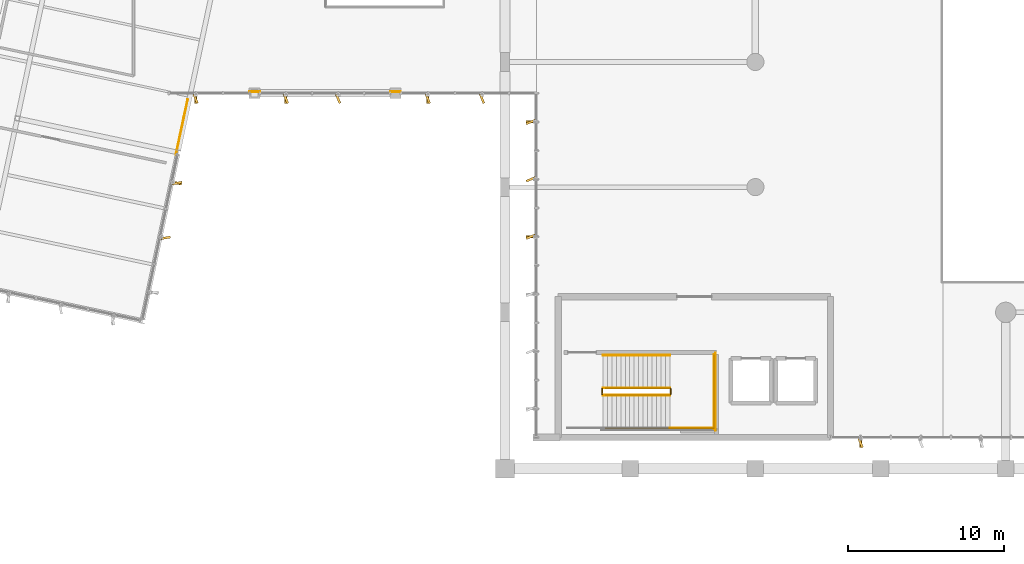
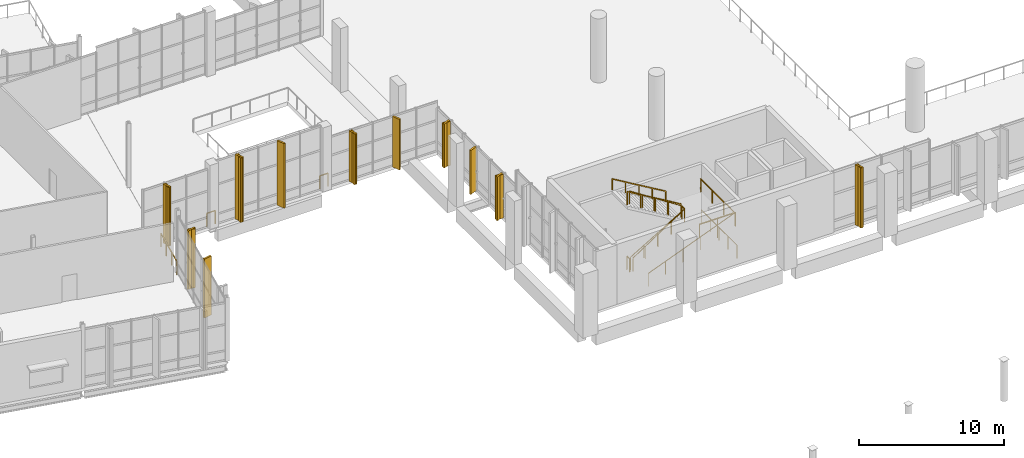
# One storey, part 160 of 176: 13 railings, 11 shading devices, 7 coverings.
"""IFC4 building model written with IfcOpenShell, lengths in metres."""

from ifc_helpers import new_model, si_unit, direction, frame, origin, origin_2d, place, context, subcontext, project, spatial, rectangle, extrude, material, layer, layer_set, type_object, element, save


model = new_model("IFC4")

# Units and contexts
model_context = context("Model", 3, precision=1e-05, world=origin(), true_north=direction((0.0, 1.0)))
body_context = subcontext(model_context, "Body", "Model", "MODEL_VIEW")
ifc_project = project(units=[si_unit("LENGTHUNIT", "METRE"), si_unit("AREAUNIT", "SQUARE_METRE"), si_unit("VOLUMEUNIT", "CUBIC_METRE"), si_unit("PLANEANGLEUNIT", "RADIAN"), si_unit("MASSUNIT", "GRAM", prefix="KILO")], contexts=[model_context])

# Site, building, storey
site_placement = place(None, origin())
site = spatial("IfcSite", under=ifc_project, at=site_placement, CompositionType="ELEMENT")
building_placement = place(site_placement, origin())
building = spatial("IfcBuilding", under=site, at=building_placement, Name="Khorjan Park Terminus", CompositionType="ELEMENT")
storey_placement = place(building_placement, frame((0.0, 0.0, 6.0)))
storey = spatial("IfcBuildingStorey", under=building, at=storey_placement, Name="L01", CompositionType="ELEMENT", Elevation=6.0)

# Coverings
ifc_material_1 = material(Name="Pigmented Precast GRC", Category="concrete")
ifc_layer = layer(ifc_material_1, 0.16)
ifc_layer_set = layer_set([ifc_layer], Name="Pigmented Precast GRC")
covering_type = type_object("IfcCoveringType", Name="CV-FIN-GRC", PredefinedType="CLADDING", material=ifc_layer_set)
covering_1_placement = place(storey_placement, frame((70.725, 27.645, -0.02), z_axis=(0.0, 0.0, 1.0), x_axis=(0.0, 1.0, 0.0)))
element("IfcCovering", 1, at=covering_1_placement, inside=storey, type_object=covering_type, Name="Projecting desert-sandstone GRC facade fin CL-FN1 (CW-V2-S-L01-02-1)", PredefinedType="CLADDING", context=body_context, shape_type="SweptSolid", body=[
    extrude(rectangle(XDim=0.58, YDim=0.16, at=origin_2d()), origin(), (0.0, 0.0, 1.0), 5.065),
])
for number, where, z_axis, x_axis, name in (
    (2, (49.645, 48.1667, -0.02), (0.0, 0.0, 1.0), (1.0, 0.0, 0.0), "Projecting desert-sandstone GRC facade fin CL-FN1 (CW-V2-W-L01-02-1)"),
    (3, (49.645, 40.8333, -0.02), (0.0, 0.0, 1.0), (1.0, 0.0, 0.0), "Projecting desert-sandstone GRC facade fin CL-FN1 (CW-V2-W-L01-02-5)"),
):
    element("IfcCovering", number, at=place(storey_placement, frame(where, z_axis=z_axis, x_axis=x_axis)), inside=storey, type_object=covering_type, Name=name, PredefinedType="CLADDING", context=body_context, shape_type="SweptSolid", body=[
        extrude(rectangle(XDim=0.58, YDim=0.16, at=origin_2d()), origin(), (0.0, 0.0, 1.0), 3.705),
    ])
covering_2_placement = place(storey_placement, frame((28.2233, 49.645, -0.02), z_axis=(0.0, 0.0, 1.0), x_axis=(0.0, 1.0, 0.0)))
element("IfcCovering", 4, at=covering_2_placement, inside=storey, type_object=covering_type, Name="Projecting desert-sandstone GRC facade fin CL-FN1 (CW-V4L-S-L01-1-1)", PredefinedType="CLADDING", context=body_context, shape_type="SweptSolid", body=[
    extrude(rectangle(XDim=0.58, YDim=0.16, at=origin_2d()), origin(), (0.0, 0.0, 1.0), 4.97),
])
covering_3_placement = place(storey_placement, frame((33.998, 49.645, -0.02), z_axis=(0.0, 0.0, 1.0), x_axis=(0.0, 1.0, 0.0)))
element("IfcCovering", 5, at=covering_3_placement, inside=storey, type_object=covering_type, Name="Projecting desert-sandstone GRC facade fin CL-FN1 (CW-V4L-S-L01-2-1)", PredefinedType="CLADDING", context=body_context, shape_type="SweptSolid", body=[
    extrude(rectangle(XDim=0.58, YDim=0.16, at=origin_2d()), origin(), (0.0, 0.0, 1.0), 5.44),
])
covering_4_placement = place(storey_placement, frame((43.064, 49.645, -0.02), z_axis=(0.0, 0.0, 1.0), x_axis=(0.0, 1.0, 0.0)))
element("IfcCovering", 6, at=covering_4_placement, inside=storey, type_object=covering_type, Name="Projecting desert-sandstone GRC facade fin CL-FN1 (CW-V4L-S-L01-3-1)", PredefinedType="CLADDING", context=body_context, shape_type="SweptSolid", body=[
    extrude(rectangle(XDim=0.58, YDim=0.16, at=origin_2d()), origin(), (0.0, 0.0, 1.0), 4.265),
])
covering_5_placement = place(storey_placement, frame((27.0466, 44.2583, -0.02), z_axis=(0.0, 0.0, 1.0), x_axis=(-0.978147600734, 0.207911690818, 0.0)))
element("IfcCovering", 7, at=covering_5_placement, inside=storey, type_object=covering_type, Name="Projecting desert-sandstone GRC facade fin CL-FN1 (CW-V4-E-L01-B01-5)", PredefinedType="CLADDING", context=body_context, shape_type="SweptSolid", body=[
    extrude(rectangle(XDim=0.58, YDim=0.16, at=origin_2d()), origin(), (0.0, 0.0, 1.0), 4.97),
])

# Railings
ifc_material_2 = material(Name="Steel S355", Category="steel")
railing_type_1 = type_object("IfcRailingType", Name="GR-112", PredefinedType="GUARDRAIL", material=ifc_material_2)
railing_1_placement = place(storey_placement, frame((54.26, 30.7, 0.1688)))
element("IfcRailing", 8, at=railing_1_placement, inside=storey, type_object=railing_type_1, Name="L01 ST-01 stair guard 1", PredefinedType="GUARDRAIL", context=body_context, shape_type="SweptSolid", body=[
    extrude(rectangle(XDim=0.048, YDim=0.048, at=origin_2d()), frame((0.0, 0.0, 1.096), z_axis=(0.860479801158, 0.0, 0.509484555015), x_axis=(0.0, 1.0, 0.0)), (0.0, 0.0, 1.0), 4.9682),
    extrude(rectangle(XDim=0.042, YDim=0.042, at=origin_2d()), origin(), (0.0, 0.0, 1.0), 1.072),
    extrude(rectangle(XDim=0.042, YDim=0.042, at=origin_2d()), frame((1.0687, 0.0, 0.6328)), (0.0, 0.0, 1.0), 1.072),
    extrude(rectangle(XDim=0.042, YDim=0.042, at=origin_2d()), frame((2.1375, 0.0, 1.2656)), (0.0, 0.0, 1.0), 1.072),
    extrude(rectangle(XDim=0.042, YDim=0.042, at=origin_2d()), frame((3.2062, 0.0, 1.8984)), (0.0, 0.0, 1.0), 1.072),
    extrude(rectangle(XDim=0.042, YDim=0.042, at=origin_2d()), frame((4.275, 0.0, 2.5312)), (0.0, 0.0, 1.0), 1.072),
])
railing_2_placement = place(storey_placement, frame((58.585, 30.75, 2.7)))
element("IfcRailing", 9, at=railing_2_placement, inside=storey, type_object=railing_type_1, Name="L01 ST-01 stair guard 2", PredefinedType="GUARDRAIL", context=body_context, shape_type="SweptSolid", body=[
    extrude(rectangle(XDim=0.048, YDim=0.048, at=origin_2d()), frame((0.0, 0.0, 1.096), z_axis=(0.0, 1.0, 0.0), x_axis=(-1.0, 0.0, 0.0)), (0.0, 0.0, 1.0), 0.36),
    extrude(rectangle(XDim=0.042, YDim=0.042, at=origin_2d()), origin(), (0.0, 0.0, 1.0), 1.072),
    extrude(rectangle(XDim=0.042, YDim=0.042, at=origin_2d()), frame((0.0, 0.36, 0.0)), (0.0, 0.0, 1.0), 1.072),
])
railing_3_placement = place(storey_placement, frame((58.535, 28.6, 2.7)))
element("IfcRailing", 10, at=railing_3_placement, inside=storey, type_object=railing_type_1, Name="L01 ST-01 stair guard 3", PredefinedType="GUARDRAIL", context=body_context, shape_type="SweptSolid", body=[
    extrude(rectangle(XDim=0.048, YDim=0.048, at=origin_2d()), frame((0.0, 0.0, 1.096), z_axis=(1.0, 0.0, 0.0), x_axis=(0.0, 1.0, 0.0)), (0.0, 0.0, 1.0), 2.865),
    extrude(rectangle(XDim=0.042, YDim=0.042, at=origin_2d()), origin(), (0.0, 0.0, 1.0), 1.072),
    extrude(rectangle(XDim=0.042, YDim=0.042, at=origin_2d()), frame((1.4325, 0.0, 0.0)), (0.0, 0.0, 1.0), 1.072),
    extrude(rectangle(XDim=0.042, YDim=0.042, at=origin_2d()), frame((2.865, 0.0, 0.0)), (0.0, 0.0, 1.0), 1.072),
])
railing_4_placement = place(storey_placement, frame((61.35, 28.55, 2.7)))
element("IfcRailing", 11, at=railing_4_placement, inside=storey, type_object=railing_type_1, Name="L01 ST-01 stair guard 4", PredefinedType="GUARDRAIL", context=body_context, shape_type="SweptSolid", body=[
    extrude(rectangle(XDim=0.048, YDim=0.048, at=origin_2d()), frame((0.0, 0.0, 1.096), z_axis=(0.0, 1.0, 0.0), x_axis=(-1.0, 0.0, 0.0)), (0.0, 0.0, 1.0), 4.76),
    extrude(rectangle(XDim=0.042, YDim=0.042, at=origin_2d()), origin(), (0.0, 0.0, 1.0), 1.072),
    extrude(rectangle(XDim=0.042, YDim=0.042, at=origin_2d()), frame((0.0, 1.5867, 0.0)), (0.0, 0.0, 1.0), 1.072),
    extrude(rectangle(XDim=0.042, YDim=0.042, at=origin_2d()), frame((0.0, 3.1733, 0.0)), (0.0, 0.0, 1.0), 1.072),
    extrude(rectangle(XDim=0.042, YDim=0.042, at=origin_2d()), frame((0.0, 4.76, 0.0)), (0.0, 0.0, 1.0), 1.072),
])
railing_5_placement = place(storey_placement, frame((58.535, 31.16, 2.8688)))
element("IfcRailing", 12, at=railing_5_placement, inside=storey, type_object=railing_type_1, Name="L01 ST-01 stair guard 5", PredefinedType="GUARDRAIL", context=body_context, shape_type="SweptSolid", body=[
    extrude(rectangle(XDim=0.048, YDim=0.048, at=origin_2d()), frame((0.0, 0.0, 1.096), z_axis=(-0.860479801158, 0.0, 0.509484555015), x_axis=(0.0, -1.0, 0.0)), (0.0, 0.0, 1.0), 4.9682),
    extrude(rectangle(XDim=0.042, YDim=0.042, at=origin_2d()), origin(), (0.0, 0.0, 1.0), 1.072),
    extrude(rectangle(XDim=0.042, YDim=0.042, at=origin_2d()), frame((-1.0687, 0.0, 0.6328)), (0.0, 0.0, 1.0), 1.072),
    extrude(rectangle(XDim=0.042, YDim=0.042, at=origin_2d()), frame((-2.1375, 0.0, 1.2656)), (0.0, 0.0, 1.0), 1.072),
    extrude(rectangle(XDim=0.042, YDim=0.042, at=origin_2d()), frame((-3.2062, 0.0, 1.8984)), (0.0, 0.0, 1.0), 1.072),
    extrude(rectangle(XDim=0.042, YDim=0.042, at=origin_2d()), frame((-4.275, 0.0, 2.5312)), (0.0, 0.0, 1.0), 1.072),
])
railing_6_placement = place(storey_placement, frame((54.21, 30.75, 0.0)))
element("IfcRailing", 13, at=railing_6_placement, inside=storey, type_object=railing_type_1, Name="L01 ST-01 stair guard 6", PredefinedType="GUARDRAIL", context=body_context, shape_type="SweptSolid", body=[
    extrude(rectangle(XDim=0.048, YDim=0.048, at=origin_2d()), frame((0.0, 0.0, 1.096), z_axis=(0.0, 1.0, 0.0), x_axis=(-1.0, 0.0, 0.0)), (0.0, 0.0, 1.0), 0.36),
    extrude(rectangle(XDim=0.042, YDim=0.042, at=origin_2d()), origin(), (0.0, 0.0, 1.0), 1.072),
    extrude(rectangle(XDim=0.042, YDim=0.042, at=origin_2d()), frame((0.0, 0.36, 0.0)), (0.0, 0.0, 1.0), 1.072),
])
railing_7_placement = place(storey_placement, frame((61.45, 28.45, 0.0)))
element("IfcRailing", 14, at=railing_7_placement, inside=storey, type_object=railing_type_1, Name="L01 ST-01 stair guard 9", PredefinedType="GUARDRAIL", context=body_context, shape_type="SweptSolid", body=[
    extrude(rectangle(XDim=0.048, YDim=0.048, at=origin_2d()), frame((0.0, 0.0, 1.096), z_axis=(0.0, 1.0, 0.0), x_axis=(-1.0, 0.0, 0.0)), (0.0, 0.0, 1.0), 4.96),
    extrude(rectangle(XDim=0.042, YDim=0.042, at=origin_2d()), origin(), (0.0, 0.0, 1.0), 1.072),
    extrude(rectangle(XDim=0.042, YDim=0.042, at=origin_2d()), frame((0.0, 1.24, 0.0)), (0.0, 0.0, 1.0), 1.072),
    extrude(rectangle(XDim=0.042, YDim=0.042, at=origin_2d()), frame((0.0, 2.48, 0.0)), (0.0, 0.0, 1.0), 1.072),
    extrude(rectangle(XDim=0.042, YDim=0.042, at=origin_2d()), frame((0.0, 3.72, 0.0)), (0.0, 0.0, 1.0), 1.072),
    extrude(rectangle(XDim=0.042, YDim=0.042, at=origin_2d()), frame((0.0, 4.96, 0.0)), (0.0, 0.0, 1.0), 1.072),
])
railing_8_placement = place(storey_placement, frame((54.44, 30.71, 0.0)))
element("IfcRailing", 15, at=railing_8_placement, inside=storey, type_object=railing_type_1, Name="Core K1 stair well slot guard GR-112 (L01)", PredefinedType="GUARDRAIL", context=body_context, shape_type="SweptSolid", body=[
    extrude(rectangle(XDim=0.048, YDim=0.048, at=origin_2d()), frame((0.0, 0.0, 1.096), z_axis=(0.837308340656, 0.0, 0.546730960041), x_axis=(0.0, 1.0, 0.0)), (0.0, 0.0, 1.0), 4.9384),
    extrude(rectangle(XDim=0.048, YDim=0.048, at=origin_2d()), frame((4.135, 0.0, 3.796), z_axis=(0.0, 1.0, 0.0), x_axis=(-1.0, 0.0, 0.0)), (0.0, 0.0, 1.0), 0.44),
    extrude(rectangle(XDim=0.048, YDim=0.048, at=origin_2d()), frame((4.135, 0.44, 3.796), z_axis=(-0.837308340656, 0.0, 0.546730960041), x_axis=(0.0, -1.0, 0.0)), (0.0, 0.0, 1.0), 4.9384),
    extrude(rectangle(XDim=0.042, YDim=0.042, at=origin_2d()), origin(), (0.0, 0.0, 1.0), 1.072),
    extrude(rectangle(XDim=0.042, YDim=0.042, at=origin_2d()), frame((1.0338, 0.0, 0.675)), (0.0, 0.0, 1.0), 1.072),
    extrude(rectangle(XDim=0.042, YDim=0.042, at=origin_2d()), frame((2.0675, 0.0, 1.35)), (0.0, 0.0, 1.0), 1.072),
    extrude(rectangle(XDim=0.042, YDim=0.042, at=origin_2d()), frame((3.1013, 0.0, 2.025)), (0.0, 0.0, 1.0), 1.072),
    extrude(rectangle(XDim=0.042, YDim=0.042, at=origin_2d()), frame((4.135, 0.0, 2.7)), (0.0, 0.0, 1.0), 1.072),
    extrude(rectangle(XDim=0.042, YDim=0.042, at=origin_2d()), frame((4.135, 0.44, 2.7)), (0.0, 0.0, 1.0), 1.072),
    extrude(rectangle(XDim=0.042, YDim=0.042, at=origin_2d()), frame((3.1013, 0.44, 3.375)), (0.0, 0.0, 1.0), 1.072),
    extrude(rectangle(XDim=0.042, YDim=0.042, at=origin_2d()), frame((2.0675, 0.44, 4.05)), (0.0, 0.0, 1.0), 1.072),
    extrude(rectangle(XDim=0.042, YDim=0.042, at=origin_2d()), frame((1.0338, 0.44, 4.725)), (0.0, 0.0, 1.0), 1.072),
    extrude(rectangle(XDim=0.042, YDim=0.042, at=origin_2d()), frame((0.0, 0.44, 5.4)), (0.0, 0.0, 1.0), 1.072),
])
railing_9_placement = place(storey_placement, frame((54.44, 28.59, 0.0)))
element("IfcRailing", 16, at=railing_9_placement, inside=storey, type_object=railing_type_1, Name="Core K1 stair side & landing guard GR-112 (L01)", PredefinedType="GUARDRAIL", context=body_context, shape_type="SweptSolid", body=[
    extrude(rectangle(XDim=0.048, YDim=0.048, at=origin_2d()), frame((0.0, 0.0, 1.096), z_axis=(0.931599858197, 0.0, 0.363485493805), x_axis=(0.0, 1.0, 0.0)), (0.0, 0.0, 1.0), 7.4281),
    extrude(rectangle(XDim=0.048, YDim=0.048, at=origin_2d()), frame((6.92, 0.0, 3.796), z_axis=(0.0, 1.0, 0.0), x_axis=(-1.0, 0.0, 0.0)), (0.0, 0.0, 1.0), 4.68),
    extrude(rectangle(XDim=0.042, YDim=0.042, at=origin_2d()), origin(), (0.0, 0.0, 1.0), 1.072),
    extrude(rectangle(XDim=0.042, YDim=0.042, at=origin_2d()), frame((1.384, 0.0, 0.54)), (0.0, 0.0, 1.0), 1.072),
    extrude(rectangle(XDim=0.042, YDim=0.042, at=origin_2d()), frame((2.768, 0.0, 1.08)), (0.0, 0.0, 1.0), 1.072),
    extrude(rectangle(XDim=0.042, YDim=0.042, at=origin_2d()), frame((4.152, 0.0, 1.62)), (0.0, 0.0, 1.0), 1.072),
    extrude(rectangle(XDim=0.042, YDim=0.042, at=origin_2d()), frame((5.536, 0.0, 2.16)), (0.0, 0.0, 1.0), 1.072),
    extrude(rectangle(XDim=0.042, YDim=0.042, at=origin_2d()), frame((6.92, 0.0, 2.7)), (0.0, 0.0, 1.0), 1.072),
    extrude(rectangle(XDim=0.042, YDim=0.042, at=origin_2d()), frame((6.92, 1.56, 2.7)), (0.0, 0.0, 1.0), 1.072),
    extrude(rectangle(XDim=0.042, YDim=0.042, at=origin_2d()), frame((6.92, 3.12, 2.7)), (0.0, 0.0, 1.0), 1.072),
    extrude(rectangle(XDim=0.042, YDim=0.042, at=origin_2d()), frame((6.92, 4.68, 2.7)), (0.0, 0.0, 1.0), 1.072),
])
railing_10_placement = place(storey_placement, frame((27.7147, 49.59, 0.0)))
element("IfcRailing", 17, at=railing_10_placement, inside=storey, type_object=railing_type_1, Name="Perimeter safety guard GR-112 (L01-16)", PredefinedType="GUARDRAIL", context=body_context, shape_type="SweptSolid", body=[
    extrude(rectangle(XDim=0.048, YDim=0.048, at=origin_2d()), frame((0.0, 0.0, 1.096), z_axis=(-0.207902042772, -0.978149651439, 0.0), x_axis=(0.978149651439, -0.207902042772, 0.0)), (0.0, 0.0, 1.0), 3.5642),
    extrude(rectangle(XDim=0.042, YDim=0.042, at=origin_2d()), origin(), (0.0, 0.0, 1.0), 1.072),
    extrude(rectangle(XDim=0.042, YDim=0.042, at=origin_2d()), frame((-0.247, -1.1621, 0.0)), (0.0, 0.0, 1.0), 1.072),
    extrude(rectangle(XDim=0.042, YDim=0.042, at=origin_2d()), frame((-0.494, -2.3242, 0.0)), (0.0, 0.0, 1.0), 1.072),
    extrude(rectangle(XDim=0.042, YDim=0.042, at=origin_2d()), frame((-0.741, -3.4863, 0.0)), (0.0, 0.0, 1.0), 1.072),
])
for number, where, name in (
    (18, (32.33, 50.1, 0.0), "Perimeter safety guard GR-112 (L01-17)"),
    (19, (41.33, 50.1, 0.0), "Perimeter safety guard GR-112 (L01-18)"),
):
    element("IfcRailing", number, at=place(storey_placement, frame(where)), inside=storey, type_object=railing_type_1, Name=name, PredefinedType="GUARDRAIL", context=body_context, shape_type="SweptSolid", body=[
        extrude(rectangle(XDim=0.048, YDim=0.048, at=origin_2d()), frame((0.0, 0.0, 1.096), z_axis=(-1.0, 0.0, 0.0), x_axis=(0.0, -1.0, 0.0)), (0.0, 0.0, 1.0), 0.66),
        extrude(rectangle(XDim=0.042, YDim=0.042, at=origin_2d()), origin(), (0.0, 0.0, 1.0), 1.072),
        extrude(rectangle(XDim=0.042, YDim=0.042, at=origin_2d()), frame((-0.66, 0.0, 0.0)), (0.0, 0.0, 1.0), 1.072),
    ])
railing_type_2 = type_object("IfcRailingType", Name="HR-92", PredefinedType="HANDRAIL", material=ifc_material_2)
railing_11_placement = place(storey_placement, frame((58.535, 33.26, 2.8688)))
element("IfcRailing", 20, at=railing_11_placement, inside=storey, type_object=railing_type_2, Name="L01 ST-01 stair handrail 2", PredefinedType="HANDRAIL", context=body_context, shape_type="SweptSolid", body=[
    extrude(rectangle(XDim=0.048, YDim=0.048, at=origin_2d()), frame((0.0, 0.0, 0.896), z_axis=(-0.860479801158, 0.0, 0.509484555015), x_axis=(0.0, -1.0, 0.0)), (0.0, 0.0, 1.0), 4.9682),
    extrude(rectangle(XDim=0.042, YDim=0.042, at=origin_2d()), origin(), (0.0, 0.0, 1.0), 0.872),
    extrude(rectangle(XDim=0.042, YDim=0.042, at=origin_2d()), frame((-1.0687, 0.0, 0.6328)), (0.0, 0.0, 1.0), 0.872),
    extrude(rectangle(XDim=0.042, YDim=0.042, at=origin_2d()), frame((-2.1375, 0.0, 1.2656)), (0.0, 0.0, 1.0), 0.872),
    extrude(rectangle(XDim=0.042, YDim=0.042, at=origin_2d()), frame((-3.2062, 0.0, 1.8984)), (0.0, 0.0, 1.0), 0.872),
    extrude(rectangle(XDim=0.042, YDim=0.042, at=origin_2d()), frame((-4.275, 0.0, 2.5312)), (0.0, 0.0, 1.0), 0.872),
])

# Shading devices
ifc_material_3 = material(Name="Anodized Bronze Aluminium", Category="aluminium")
shading_device_type = type_object("IfcShadingDeviceType", Name="SD-FIN-620", PredefinedType="JALOUSIE", material=ifc_material_3)
shading_device_1_placement = place(storey_placement, frame((70.725, 27.645, -0.02), z_axis=(0.0, 0.0, 1.0), x_axis=(-0.374606593416, 0.927183854567, 0.0)))
element("IfcShadingDevice", 21, at=shading_device_1_placement, inside=storey, type_object=shading_device_type, Name="Angled solar brise-soleil fin SF-62 (CW-V2-S-L01-02-1)", PredefinedType="JALOUSIE", context=body_context, shape_type="SweptSolid", body=[
    extrude(rectangle(XDim=0.62, YDim=0.14, at=origin_2d()), origin(), (0.0, 0.0, 1.0), 5.065),
])
for number, where, z_axis, x_axis, name in (
    (22, (49.645, 48.1667, -0.02), (0.0, 0.0, 1.0), (0.927183854567, 0.374606593416, 0.0), "Angled solar brise-soleil fin SF-62 (CW-V2-W-L01-02-1)"),
    (23, (49.645, 44.5, -0.02), (0.0, 0.0, 1.0), (0.927183854567, 0.374606593416, 0.0), "Angled solar brise-soleil fin SF-62 (CW-V2-W-L01-02-3)"),
    (24, (49.645, 40.8333, -0.02), (0.0, 0.0, 1.0), (0.927183854567, 0.374606593416, 0.0), "Angled solar brise-soleil fin SF-62 (CW-V2-W-L01-02-5)"),
):
    element("IfcShadingDevice", number, at=place(storey_placement, frame(where, z_axis=z_axis, x_axis=x_axis)), inside=storey, type_object=shading_device_type, Name=name, PredefinedType="JALOUSIE", context=body_context, shape_type="SweptSolid", body=[
        extrude(rectangle(XDim=0.62, YDim=0.14, at=origin_2d()), origin(), (0.0, 0.0, 1.0), 3.705),
    ])
shading_device_2_placement = place(storey_placement, frame((28.2233, 49.645, -0.02), z_axis=(0.0, 0.0, 1.0), x_axis=(-0.374606593416, 0.927183854567, 0.0)))
element("IfcShadingDevice", 25, at=shading_device_2_placement, inside=storey, type_object=shading_device_type, Name="Angled solar brise-soleil fin SF-62 (CW-V4L-S-L01-1-1)", PredefinedType="JALOUSIE", context=body_context, shape_type="SweptSolid", body=[
    extrude(rectangle(XDim=0.62, YDim=0.14, at=origin_2d()), origin(), (0.0, 0.0, 1.0), 4.97),
])
for number, where, z_axis, x_axis, name in (
    (26, (33.998, 49.645, -0.02), (0.0, 0.0, 1.0), (-0.374606593416, 0.927183854567, 0.0), "Angled solar brise-soleil fin SF-62 (CW-V4L-S-L01-2-1)"),
    (27, (37.334, 49.645, -0.02), (0.0, 0.0, 1.0), (-0.374606593416, 0.927183854567, 0.0), "Angled solar brise-soleil fin SF-62 (CW-V4L-S-L01-2-3)"),
):
    element("IfcShadingDevice", number, at=place(storey_placement, frame(where, z_axis=z_axis, x_axis=x_axis)), inside=storey, type_object=shading_device_type, Name=name, PredefinedType="JALOUSIE", context=body_context, shape_type="SweptSolid", body=[
        extrude(rectangle(XDim=0.62, YDim=0.14, at=origin_2d()), origin(), (0.0, 0.0, 1.0), 5.44),
    ])
for number, where, z_axis, x_axis, name in (
    (28, (43.064, 49.645, -0.02), (0.0, 0.0, 1.0), (-0.374606593416, 0.927183854567, 0.0), "Angled solar brise-soleil fin SF-62 (CW-V4L-S-L01-3-1)"),
    (29, (46.532, 49.645, -0.02), (0.0, 0.0, 1.0), (-0.374606593416, 0.927183854567, 0.0), "Angled solar brise-soleil fin SF-62 (CW-V4L-S-L01-3-3)"),
):
    element("IfcShadingDevice", number, at=place(storey_placement, frame(where, z_axis=z_axis, x_axis=x_axis)), inside=storey, type_object=shading_device_type, Name=name, PredefinedType="JALOUSIE", context=body_context, shape_type="SweptSolid", body=[
        extrude(rectangle(XDim=0.62, YDim=0.14, at=origin_2d()), origin(), (0.0, 0.0, 1.0), 4.265),
    ])
for number, where, z_axis, x_axis, name in (
    (30, (26.3023, 40.7568, -0.02), (0.0, 0.0, 1.0), (-0.984807753012, -0.173648177667, 0.0), "Angled solar brise-soleil fin SF-62 (CW-V4-E-L01-B01-3)"),
    (31, (27.0466, 44.2583, -0.02), (0.0, 0.0, 1.0), (-0.984807753012, -0.173648177667, 0.0), "Angled solar brise-soleil fin SF-62 (CW-V4-E-L01-B01-5)"),
):
    element("IfcShadingDevice", number, at=place(storey_placement, frame(where, z_axis=z_axis, x_axis=x_axis)), inside=storey, type_object=shading_device_type, Name=name, PredefinedType="JALOUSIE", context=body_context, shape_type="SweptSolid", body=[
        extrude(rectangle(XDim=0.62, YDim=0.14, at=origin_2d()), origin(), (0.0, 0.0, 1.0), 4.97),
    ])

save(model, "model.ifc")
